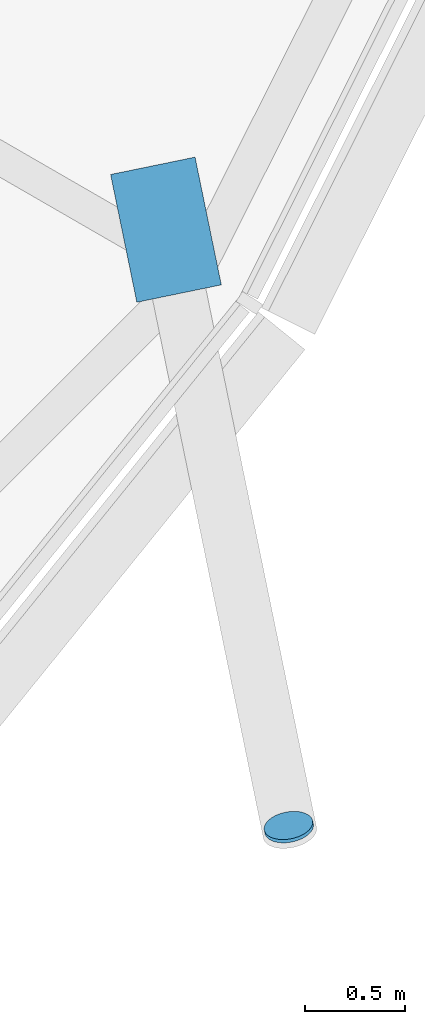
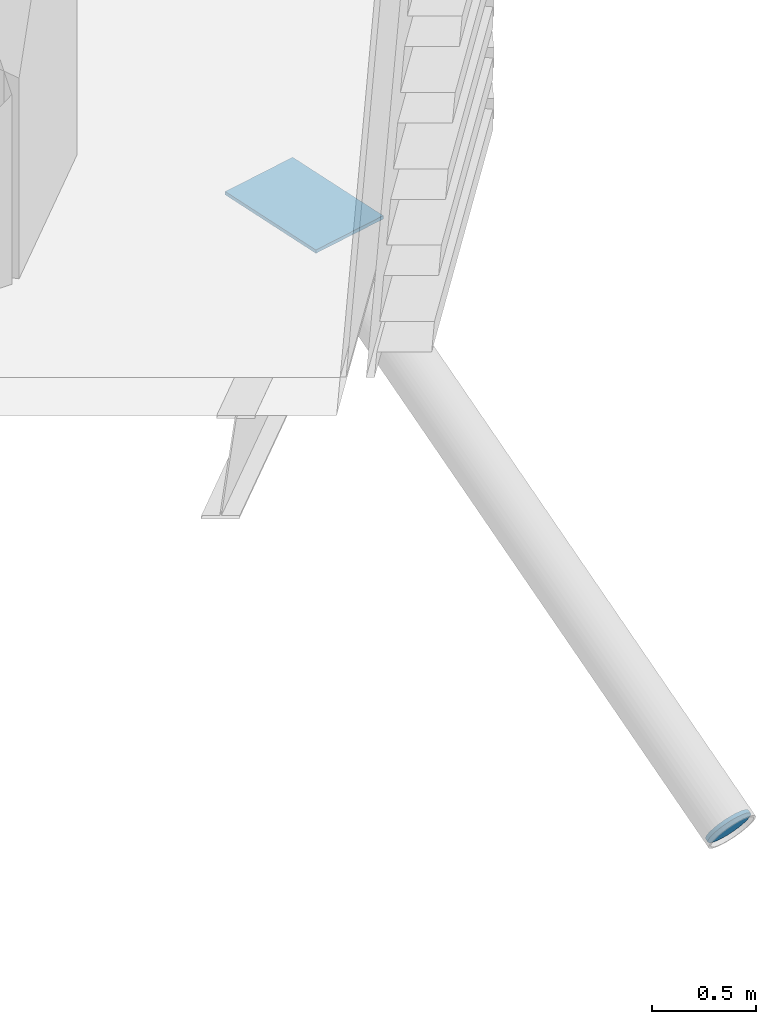
# One storey, part 30 of 37: 2 discrete accessories.
"""IFC4 building model written with IfcOpenShell, lengths in metres."""

from ifc_helpers import new_model, si_unit, direction, frame, origin, origin_2d, place, context, subcontext, project, spatial, polyline, rectangle, circle, outline, extrude, material, material_profile, profile_set, type_object, element, save


model = new_model("IFC4")

# Units and contexts
model_context = context("Model", 3, precision=1e-05, world=origin(), true_north=direction((0.0, 1.0)))
body_context = subcontext(model_context, "Body", "Model", "MODEL_VIEW")
ifc_project = project(units=[si_unit("LENGTHUNIT", "METRE"), si_unit("AREAUNIT", "SQUARE_METRE"), si_unit("VOLUMEUNIT", "CUBIC_METRE"), si_unit("PLANEANGLEUNIT", "RADIAN"), si_unit("MASSUNIT", "GRAM", prefix="KILO")], contexts=[model_context])

# Site, building, storey
site_placement = place(None, origin())
site = spatial("IfcSite", under=ifc_project, at=site_placement, CompositionType="ELEMENT")
building_placement = place(site_placement, origin())
building = spatial("IfcBuilding", under=site, at=building_placement, Name="Rimbun Link Towers", CompositionType="ELEMENT")
storey_placement = place(building_placement, frame((0.0, 0.0, 177.89990234375)))
storey = spatial("IfcBuildingStorey", under=building, at=storey_placement, Name="L43", CompositionType="ELEMENT", Elevation=177.89990234375)

# Discrete accessories
ifc_material_1 = material(Name="Steel S355J2H", Category="steel")
ifc_material_profile_1 = material_profile(ifc_material_1, circle(Radius=0.1240234375, at=origin_2d()), Name="PL D248")
ifc_profile_set_1 = profile_set([ifc_material_profile_1], Name="Steel S355J2H")
discrete_accessory_type_1 = type_object("IfcDiscreteAccessoryType", Name="Link foot sealing plate D248X20", PredefinedType="BRACKET", material=ifc_profile_set_1)
discrete_accessory_1_placement = place(storey_placement, frame((49.21630859375, -12.598876953125, -2.4921875), z_axis=(0.159022150317, -0.819575697788, -0.550461289559), x_axis=(0.981691567677, 0.190477468355, 0.0)))
element("IfcDiscreteAccessory", 1, at=discrete_accessory_1_placement, inside=storey, type_object=discrete_accessory_type_1, Name="Link foot sealing plate T2 L43 19", PredefinedType="BRACKET", context=body_context, shape_type="SweptSolid", body=[
    extrude(circle(Radius=0.1240234375, at=origin_2d()), origin(), (0.0, 0.0, 1.0), 0.02001953125),
])
ifc_material_2 = material(Name="Steel S355J2H", Category="steel")
ifc_material_profile_2 = material_profile(ifc_material_2, rectangle(XDim=0.43310546875, YDim=0.43310546875, at=origin_2d()), Name="PL 433x433")
ifc_profile_set_2 = profile_set([ifc_material_profile_2], Name="Steel S355J2H")
discrete_accessory_type_2 = type_object("IfcDiscreteAccessoryType", Name="Link head end plate 433X20", PredefinedType="BRACKET", material=ifc_profile_set_2)
discrete_accessory_2_placement = place(storey_placement, frame((0.0, 0.0, -0.473388671875)))
element("IfcDiscreteAccessory", 2, at=discrete_accessory_2_placement, inside=storey, type_object=discrete_accessory_type_2, Name="Link head end plate T2 L43 19", PredefinedType="BRACKET", context=body_context, shape_type="SweptSolid", body=[
    extrude(outline(polyline([(48.322998046875, -9.328857421875), (48.454833984375, -9.970703125), (48.879150390625, -9.88330078125), (48.7470703125, -9.24169921875), (48.322998046875, -9.328857421875)])), origin(), (0.0, 0.0, 1.0), 0.02001953125),
])

save(model, "model.ifc")
